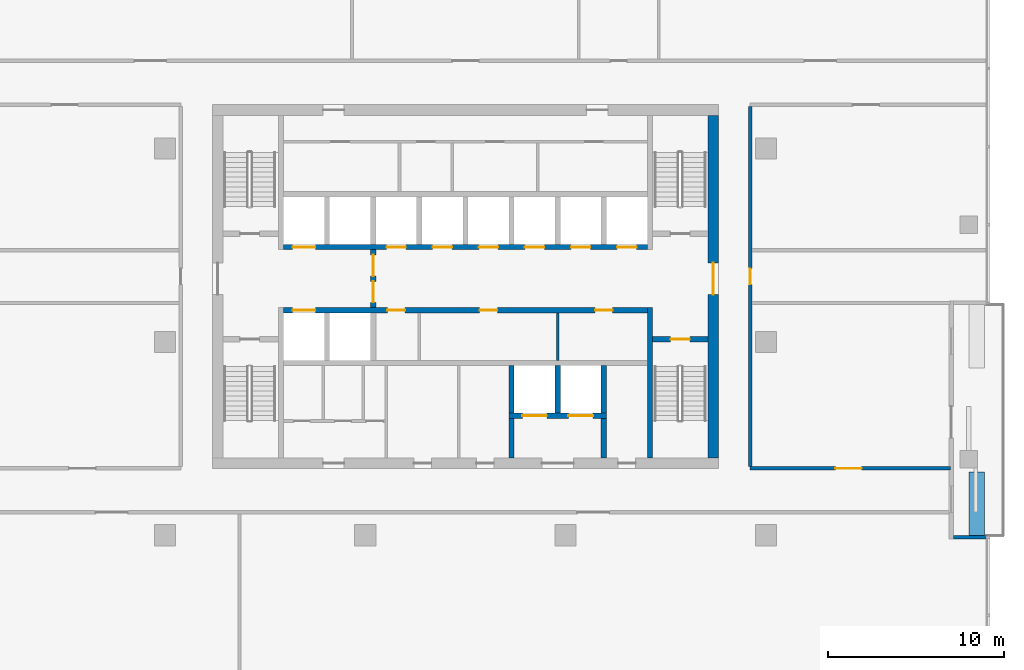
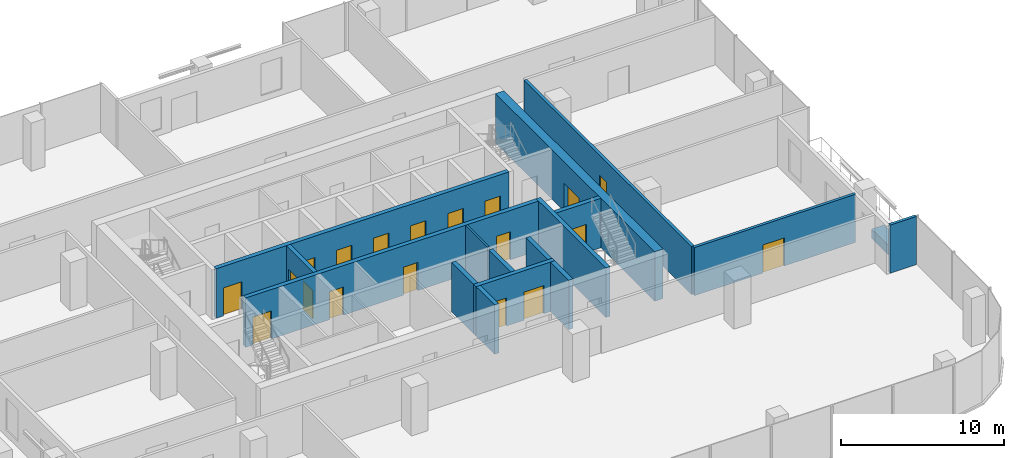
# One storey, part 8 of 13: 19 doors, 17 walls, 19 openings.
"""IFC4 building model written with IfcOpenShell, lengths in metres."""

from ifc_helpers import new_model, si_unit, direction, frame, frame_2d, origin, place, context, subcontext, project, spatial, rectangle, extrude, material, layer, layer_set, type_object, element, fill, save


model = new_model("IFC4")

# Units and contexts
model_context = context("Model", 3, precision=1e-05, world=origin(), true_north=direction((0.0, 1.0)))
body_context = subcontext(model_context, "Body", "Model", "MODEL_VIEW")
ifc_project = project(units=[si_unit("LENGTHUNIT", "METRE"), si_unit("AREAUNIT", "SQUARE_METRE"), si_unit("VOLUMEUNIT", "CUBIC_METRE"), si_unit("PLANEANGLEUNIT", "RADIAN"), si_unit("MASSUNIT", "GRAM", prefix="KILO")], contexts=[model_context])

# Site, building, storey
site_placement = place(None, origin())
site = spatial("IfcSite", under=ifc_project, at=site_placement, CompositionType="ELEMENT")
building_placement = place(site_placement, origin())
building = spatial("IfcBuilding", under=site, at=building_placement, Name="Mopane Tessera Tower", CompositionType="ELEMENT")
storey_placement = place(building_placement, frame((0.0, 0.0, 283.39990234375)))
storey = spatial("IfcBuildingStorey", under=building, at=storey_placement, Name="L61", CompositionType="ELEMENT", Elevation=283.39990234375)

# Wall
ifc_material_1 = material(Name="Fire-rated gypsum board partition")
ifc_layer_1 = layer(ifc_material_1, 0.14990234375)
ifc_layer_set_1 = layer_set([ifc_layer_1], Name="Fire-rated gypsum board partition")
wall_type_1 = type_object("IfcWallType", Name="Core room partition 150 mm", PredefinedType="PARTITIONING", material=ifc_layer_set_1)
wall_1_placement = place(storey_placement, frame((5.25, -1.050048828125, 0.0), z_axis=(0.0, 0.0, 1.0), x_axis=(0.0, 1.0, 0.0)))
element("IfcWall", 1, at=wall_1_placement, inside=storey, type_object=wall_type_1, Name="L61 Room partition", PredefinedType="PARTITIONING", context=body_context, shape_type="SweptSolid", body=[
    extrude(rectangle(XDim=2.699951171875, YDim=0.14990234375, at=frame_2d((1.35009765625, 0.0))), origin(), (0.0, 0.0, 1.0), 3.7001953125),
])

# Wall, opening, door
ifc_material_2 = material(Name="Concrete C70/85", Category="concrete")
ifc_layer_2 = layer(ifc_material_2, 0.60009765625)
ifc_layer_set_2 = layer_set([ifc_layer_2], Name="Concrete C70/85")
wall_type_2 = type_object("IfcWallType", Name="Core shear wall 600 mm", PredefinedType="SHEAR", material=ifc_layer_set_2)
wall_2_placement = place(storey_placement, frame((14.10009765625, -6.60009765625, 0.0), z_axis=(0.0, 0.0, 1.0), x_axis=(0.0, 1.0, 0.0)))
wall_2 = element("IfcWall", 2, at=wall_2_placement, inside=storey, type_object=wall_type_2, Name="L61 Core wall east", PredefinedType="SHEAR", context=body_context, shape_type="SweptSolid", body=[
    extrude(rectangle(XDim=19.5, YDim=0.60009765625, at=frame_2d((9.75, 0.0))), origin(), (0.0, 0.0, 1.0), 3.7001953125),
])
opening_1_placement = place(wall_2_placement, frame((9.300048828125, 0.0, 0.0)))
opening_1 = element("IfcOpeningElement", 3, at=opening_1_placement, cuts=wall_2, Name="Opening SD2", PredefinedType="OPENING", context=body_context, shape_type="SweptSolid", body=[
    extrude(rectangle(XDim=1.800048828125, YDim=2.10009765625, at=frame_2d((0.89990234375, 1.050048828125))), frame((0.0, 0.31201171875, 0.0), z_axis=(0.0, -1.0, 0.0), x_axis=(1.0, 0.0, 0.0)), (0.0, 0.0, 1.0), 0.6240234375),
])
ifc_material_3 = material(Name="Steel fire door", Category="steel")
door_type_1 = type_object("IfcDoorType", Name="Core entrance double door 1800 x 2100", OperationType="DOUBLE_DOOR_SINGLE_SWING", PredefinedType="DOOR", material=ifc_material_3)
door_1_placement = place(opening_1_placement, origin())
door_1 = element("IfcDoor", 4, at=door_1_placement, inside=storey, type_object=door_type_1, Name="L61 Core entrance door east", OperationType="DOUBLE_DOOR_SINGLE_SWING", OverallHeight=2.10009765625, OverallWidth=1.800048828125, PredefinedType="DOOR", context=body_context, shape_type="SweptSolid", body=[
    extrude(rectangle(XDim=1.800048828125, YDim=2.10009765625, at=frame_2d((0.89990234375, 1.050048828125))), frame((0.0, 0.02490234375, 0.0), z_axis=(0.0, -1.0, 0.0), x_axis=(1.0, 0.0, 0.0)), (0.0, 0.0, 1.0), 0.050048828125),
])
fill(opening_1, door_1)

# Wall
ifc_material_4 = material(Name="Concrete C60/75", Category="concrete")
ifc_layer_3 = layer(ifc_material_4, 0.300048828125)
ifc_layer_set_3 = layer_set([ifc_layer_3], Name="Concrete C60/75")
wall_type_3 = type_object("IfcWallType", Name="Core spine wall 300 mm", PredefinedType="SHEAR", material=ifc_layer_set_3)
wall_3_placement = place(storey_placement, frame((10.5, -6.60009765625, 0.0), z_axis=(0.0, 0.0, 1.0), x_axis=(0.0, 1.0, 0.0)))
element("IfcWall", 5, at=wall_3_placement, inside=storey, type_object=wall_type_3, Name="L61 Core spine wall", PredefinedType="SHEAR", context=body_context, shape_type="SweptSolid", body=[
    extrude(rectangle(XDim=8.550048828125, YDim=0.300048828125, at=frame_2d((4.27490234375, 0.0))), origin(), (0.0, 0.0, 1.0), 3.7001953125),
])

# Wall, opening, door
ifc_material_5 = material(Name="Gypsum board on steel studs, two layers each face, mineral wool infill", Category="steel")
ifc_layer_4 = layer(ifc_material_5, 0.199951171875)
ifc_layer_set_4 = layer_set([ifc_layer_4], Name="Gypsum board on steel studs, two layers each face, mineral wool infill")
wall_type_4 = type_object("IfcWallType", Name="Gypsum board corridor wall 200, rated EI 60", PredefinedType="PARTITIONING", material=ifc_layer_set_4)
wall_4_placement = place(storey_placement, frame((16.199951171875, -7.199951171875, 0.0), z_axis=(0.0, 0.0, 1.0), x_axis=(1.0, 0.0, 0.0)))
wall_4 = element("IfcWall", 6, at=wall_4_placement, inside=storey, type_object=wall_type_4, Name="Partition L61:002", PredefinedType="PARTITIONING", context=body_context, shape_type="SweptSolid", body=[
    extrude(rectangle(XDim=11.400146484375, YDim=0.199951171875, at=frame_2d((5.7001953125, 0.0))), origin(), (0.0, 0.0, 1.0), 3.60009765625),
])
opening_2_placement = place(wall_4_placement, frame((4.85009765625, 0.0, 0.0)))
opening_2 = element("IfcOpeningElement", 7, at=opening_2_placement, cuts=wall_4, Name="Opening L61-12", PredefinedType="OPENING", context=body_context, shape_type="SweptSolid", body=[
    extrude(rectangle(XDim=1.5, YDim=2.10009765625, at=frame_2d((0.75, 1.050048828125))), frame((0.0, 0.112060546875, 0.0), z_axis=(0.0, -1.0, 0.0), x_axis=(1.0, 0.0, 0.0)), (0.0, 0.0, 1.0), 0.223876953125),
])
ifc_material_6 = material(Name="Timber veneered steel-framed fire door", Category="steel")
door_type_2 = type_object("IfcDoorType", Name="Fire door pair FD60 1500 x 2100", OperationType="DOUBLE_DOOR_SINGLE_SWING", PredefinedType="DOOR", material=ifc_material_6)
door_2_placement = place(opening_2_placement, origin())
door_2 = element("IfcDoor", 8, at=door_2_placement, inside=storey, type_object=door_type_2, Name="Door L61-12", ObjectType="D17A", OperationType="DOUBLE_DOOR_SINGLE_SWING", OverallHeight=2.10009765625, OverallWidth=1.5, PredefinedType="DOOR", context=body_context, shape_type="SweptSolid", body=[
    extrude(rectangle(XDim=1.5, YDim=2.10009765625, at=frame_2d((0.75, 1.050048828125))), frame((0.0, 0.02490234375, 0.0), z_axis=(0.0, -1.0, 0.0), x_axis=(1.0, 0.0, 0.0)), (0.0, 0.0, 1.0), 0.050048828125),
])
fill(opening_2, door_2)

wall_5_placement = place(storey_placement, frame((16.199951171875, -7.10009765625, 0.0), z_axis=(0.0, 0.0, 1.0), x_axis=(0.0, 1.0, 0.0)))
wall_5 = element("IfcWall", 9, at=wall_5_placement, inside=storey, type_object=wall_type_4, Name="Partition L61:015", PredefinedType="PARTITIONING", context=body_context, shape_type="SweptSolid", body=[
    extrude(rectangle(XDim=20.5, YDim=0.199951171875, at=frame_2d((10.25, 0.0))), origin(), (0.0, 0.0, 1.0), 3.60009765625),
])
opening_3_placement = place(wall_5_placement, frame((10.3701171875, 0.0, 0.0)))
opening_3 = element("IfcOpeningElement", 10, at=opening_3_placement, cuts=wall_5, Name="Opening L61-09", PredefinedType="OPENING", context=body_context, shape_type="SweptSolid", body=[
    extrude(rectangle(XDim=0.89990234375, YDim=2.10009765625, at=frame_2d((0.449951171875, 1.050048828125))), frame((0.0, 0.112060546875, 0.0), z_axis=(0.0, -1.0, 0.0), x_axis=(1.0, 0.0, 0.0)), (0.0, 0.0, 1.0), 0.223876953125),
])
ifc_material_7 = material(Name="Timber veneered steel-framed fire door", Category="steel")
door_type_3 = type_object("IfcDoorType", Name="Fire door FD60 900 x 2100", OperationType="SINGLE_SWING_LEFT", PredefinedType="DOOR", material=ifc_material_7)
door_3_placement = place(opening_3_placement, origin())
door_3 = element("IfcDoor", 11, at=door_3_placement, inside=storey, type_object=door_type_3, Name="Door L61-09", ObjectType="D10A", OperationType="SINGLE_SWING_LEFT", OverallHeight=2.10009765625, OverallWidth=0.89990234375, PredefinedType="DOOR", context=body_context, shape_type="SweptSolid", body=[
    extrude(rectangle(XDim=0.89990234375, YDim=2.10009765625, at=frame_2d((0.449951171875, 1.050048828125))), frame((0.0, 0.02490234375, 0.0), z_axis=(0.0, -1.0, 0.0), x_axis=(1.0, 0.0, 0.0)), (0.0, 0.0, 1.0), 0.050048828125),
])
fill(opening_3, door_3)

ifc_material_8 = material(Name="Concrete C50/60", Category="concrete")
ifc_layer_5 = layer(ifc_material_8, 0.300048828125)
ifc_layer_set_5 = layer_set([ifc_layer_5], Name="Concrete C50/60")
wall_type_5 = type_object("IfcWallType", Name="Lift and stair shaft wall 300 mm", PredefinedType="SOLIDWALL", material=ifc_layer_set_5)
wall_6_placement = place(storey_placement, frame((10.64990234375, 0.14990234375, 0.0), z_axis=(0.0, 0.0, 1.0), x_axis=(1.0, 0.0, 0.0)))
wall_6 = element("IfcWall", 12, at=wall_6_placement, inside=storey, type_object=wall_type_5, Name="L61 Stair enclosure wall", PredefinedType="SOLIDWALL", context=body_context, shape_type="SweptSolid", body=[
    extrude(rectangle(XDim=3.150146484375, YDim=0.300048828125, at=frame_2d((1.5751953125, 0.0))), origin(), (0.0, 0.0, 1.0), 3.7001953125),
])
opening_4_placement = place(wall_6_placement, frame((1.02490234375, 0.0, 0.0)))
opening_4 = element("IfcOpeningElement", 13, at=opening_4_placement, cuts=wall_6, Name="Opening SD1", PredefinedType="OPENING", context=body_context, shape_type="SweptSolid", body=[
    extrude(rectangle(XDim=1.10009765625, YDim=2.10009765625, at=frame_2d((0.550048828125, 1.050048828125))), frame((0.0, 0.162109375, 0.0), z_axis=(0.0, -1.0, 0.0), x_axis=(1.0, 0.0, 0.0)), (0.0, 0.0, 1.0), 0.323974609375),
])
ifc_material_9 = material(Name="Steel fire door", Category="steel")
door_type_4 = type_object("IfcDoorType", Name="Stair fire door 1100 x 2100", OperationType="SINGLE_SWING_LEFT", PredefinedType="DOOR", material=ifc_material_9)
door_4_placement = place(opening_4_placement, origin())
door_4 = element("IfcDoor", 14, at=door_4_placement, inside=storey, type_object=door_type_4, Name="L61 Stair door ST3", OperationType="SINGLE_SWING_RIGHT", OverallHeight=2.10009765625, OverallWidth=1.10009765625, PredefinedType="DOOR", context=body_context, shape_type="SweptSolid", body=[
    extrude(rectangle(XDim=1.10009765625, YDim=2.10009765625, at=frame_2d((0.550048828125, 1.050048828125))), frame((0.0, 0.02490234375, 0.0), z_axis=(0.0, -1.0, 0.0), x_axis=(1.0, 0.0, 0.0)), (0.0, 0.0, 1.0), 0.050048828125),
])
fill(opening_4, door_4)

# Wall, openings, doors
wall_7_placement = place(storey_placement, frame((-10.35009765625, 1.800048828125, 0.0), z_axis=(0.0, 0.0, 1.0), x_axis=(1.0, 0.0, 0.0)))
wall_7 = element("IfcWall", 15, at=wall_7_placement, inside=storey, type_object=wall_type_5, Name="L61 Lift shaft front wall", PredefinedType="SOLIDWALL", context=body_context, shape_type="SweptSolid", body=[
    extrude(rectangle(XDim=20.7001953125, YDim=0.300048828125, at=frame_2d((10.35009765625, 0.0))), origin(), (0.0, 0.0, 1.0), 3.7001953125),
])
opening_5_placement = place(wall_7_placement, frame((0.512451171875, 0.0, 0.0)))
opening_5 = element("IfcOpeningElement", 16, at=opening_5_placement, cuts=wall_7, Name="Opening LD2", PredefinedType="OPENING", context=body_context, shape_type="SweptSolid", body=[
    extrude(rectangle(XDim=1.300048828125, YDim=2.10009765625, at=frame_2d((0.64990234375, 1.050048828125))), frame((0.0, 0.162109375, 0.0), z_axis=(0.0, -1.0, 0.0), x_axis=(1.0, 0.0, 0.0)), (0.0, 0.0, 1.0), 0.323974609375),
])
opening_6_placement = place(wall_7_placement, frame((5.91259765625, 0.0, 0.0)))
opening_6 = element("IfcOpeningElement", 17, at=opening_6_placement, cuts=wall_7, Name="Opening RD1", PredefinedType="OPENING", context=body_context, shape_type="SweptSolid", body=[
    extrude(rectangle(XDim=1.0, YDim=2.10009765625, at=frame_2d((0.5, 1.050048828125))), frame((0.0, 0.162109375, 0.0), z_axis=(0.0, -1.0, 0.0), x_axis=(1.0, 0.0, 0.0)), (0.0, 0.0, 1.0), 0.323974609375),
])
opening_7_placement = place(wall_7_placement, frame((11.16259765625, 0.0, 0.0)))
opening_7 = element("IfcOpeningElement", 18, at=opening_7_placement, cuts=wall_7, Name="Opening RD1", PredefinedType="OPENING", context=body_context, shape_type="SweptSolid", body=[
    extrude(rectangle(XDim=1.0, YDim=2.10009765625, at=frame_2d((0.5, 1.050048828125))), frame((0.0, 0.162109375, 0.0), z_axis=(0.0, -1.0, 0.0), x_axis=(1.0, 0.0, 0.0)), (0.0, 0.0, 1.0), 0.323974609375),
])
opening_8_placement = place(wall_7_placement, frame((17.72509765625, 0.0, 0.0)))
opening_8 = element("IfcOpeningElement", 19, at=opening_8_placement, cuts=wall_7, Name="Opening RD1", PredefinedType="OPENING", context=body_context, shape_type="SweptSolid", body=[
    extrude(rectangle(XDim=1.0, YDim=2.10009765625, at=frame_2d((0.5, 1.050048828125))), frame((0.0, 0.162109375, 0.0), z_axis=(0.0, -1.0, 0.0), x_axis=(1.0, 0.0, 0.0)), (0.0, 0.0, 1.0), 0.323974609375),
])
ifc_material_10 = material(Name="Timber door", Category="wood")
door_type_5 = type_object("IfcDoorType", Name="Core room door 1000 x 2100", OperationType="SINGLE_SWING_LEFT", PredefinedType="DOOR", material=ifc_material_10)
door_5_placement = place(opening_6_placement, origin())
door_5 = element("IfcDoor", 20, at=door_5_placement, inside=storey, type_object=door_type_5, Name="L61 Room door", OperationType="SINGLE_SWING_LEFT", OverallHeight=2.10009765625, OverallWidth=1.0, PredefinedType="DOOR", context=body_context, shape_type="SweptSolid", body=[
    extrude(rectangle(XDim=1.0, YDim=2.10009765625, at=frame_2d((0.5, 1.050048828125))), frame((0.0, 0.02490234375, 0.0), z_axis=(0.0, -1.0, 0.0), x_axis=(1.0, 0.0, 0.0)), (0.0, 0.0, 1.0), 0.050048828125),
])
fill(opening_6, door_5)
door_6_placement = place(opening_7_placement, origin())
door_6 = element("IfcDoor", 21, at=door_6_placement, inside=storey, type_object=door_type_5, Name="L61 Room door", OperationType="SINGLE_SWING_LEFT", OverallHeight=2.10009765625, OverallWidth=1.0, PredefinedType="DOOR", context=body_context, shape_type="SweptSolid", body=[
    extrude(rectangle(XDim=1.0, YDim=2.10009765625, at=frame_2d((0.5, 1.050048828125))), frame((0.0, 0.02490234375, 0.0), z_axis=(0.0, -1.0, 0.0), x_axis=(1.0, 0.0, 0.0)), (0.0, 0.0, 1.0), 0.050048828125),
])
fill(opening_7, door_6)
door_7_placement = place(opening_8_placement, origin())
door_7 = element("IfcDoor", 22, at=door_7_placement, inside=storey, type_object=door_type_5, Name="L61 Room door", OperationType="SINGLE_SWING_LEFT", OverallHeight=2.10009765625, OverallWidth=1.0, PredefinedType="DOOR", context=body_context, shape_type="SweptSolid", body=[
    extrude(rectangle(XDim=1.0, YDim=2.10009765625, at=frame_2d((0.5, 1.050048828125))), frame((0.0, 0.02490234375, 0.0), z_axis=(0.0, -1.0, 0.0), x_axis=(1.0, 0.0, 0.0)), (0.0, 0.0, 1.0), 0.050048828125),
])
fill(opening_8, door_7)
ifc_material_11 = material(Name="Stainless steel sliding door", Category="steel")
door_type_6 = type_object("IfcDoorType", Name="Fire-fighting lift landing door 1300 x 2100", OperationType="DOUBLE_DOOR_SLIDING", PredefinedType="DOOR", material=ifc_material_11)
door_8_placement = place(opening_5_placement, origin())
door_8 = element("IfcDoor", 23, at=door_8_placement, inside=storey, type_object=door_type_6, Name="L61 Lift landing door FF1", OperationType="DOUBLE_DOOR_SLIDING", OverallHeight=2.10009765625, OverallWidth=1.300048828125, PredefinedType="DOOR", context=body_context, shape_type="SweptSolid", body=[
    extrude(rectangle(XDim=1.300048828125, YDim=2.10009765625, at=frame_2d((0.64990234375, 1.050048828125))), frame((0.0, 0.02490234375, 0.0), z_axis=(0.0, -1.0, 0.0), x_axis=(1.0, 0.0, 0.0)), (0.0, 0.0, 1.0), 0.050048828125),
])
fill(opening_5, door_8)

wall_8_placement = place(storey_placement, frame((-10.35009765625, 5.39990234375, 0.0), z_axis=(0.0, 0.0, 1.0), x_axis=(1.0, 0.0, 0.0)))
wall_8 = element("IfcWall", 24, at=wall_8_placement, inside=storey, type_object=wall_type_5, Name="L61 Lift shaft front wall", PredefinedType="SOLIDWALL", context=body_context, shape_type="SweptSolid", body=[
    extrude(rectangle(XDim=20.7001953125, YDim=0.300048828125, at=frame_2d((10.35009765625, 0.0))), origin(), (0.0, 0.0, 1.0), 3.7001953125),
])
opening_9_placement = place(wall_8_placement, frame((0.512451171875, 0.0, 0.0)))
opening_9 = element("IfcOpeningElement", 25, at=opening_9_placement, cuts=wall_8, Name="Opening LD2", PredefinedType="OPENING", context=body_context, shape_type="SweptSolid", body=[
    extrude(rectangle(XDim=1.300048828125, YDim=2.10009765625, at=frame_2d((0.64990234375, 1.050048828125))), frame((0.0, 0.162109375, 0.0), z_axis=(0.0, -1.0, 0.0), x_axis=(1.0, 0.0, 0.0)), (0.0, 0.0, 1.0), 0.323974609375),
])
opening_10_placement = place(wall_8_placement, frame((5.862548828125, 0.0, 0.0)))
opening_10 = element("IfcOpeningElement", 26, at=opening_10_placement, cuts=wall_8, Name="Opening LD", PredefinedType="OPENING", context=body_context, shape_type="SweptSolid", body=[
    extrude(rectangle(XDim=1.10009765625, YDim=2.10009765625, at=frame_2d((0.550048828125, 1.050048828125))), frame((0.0, 0.162109375, 0.0), z_axis=(0.0, -1.0, 0.0), x_axis=(1.0, 0.0, 0.0)), (0.0, 0.0, 1.0), 0.323974609375),
])
opening_11_placement = place(wall_8_placement, frame((8.487548828125, 0.0, 0.0)))
opening_11 = element("IfcOpeningElement", 27, at=opening_11_placement, cuts=wall_8, Name="Opening LD", PredefinedType="OPENING", context=body_context, shape_type="SweptSolid", body=[
    extrude(rectangle(XDim=1.10009765625, YDim=2.10009765625, at=frame_2d((0.550048828125, 1.050048828125))), frame((0.0, 0.162109375, 0.0), z_axis=(0.0, -1.0, 0.0), x_axis=(1.0, 0.0, 0.0)), (0.0, 0.0, 1.0), 0.323974609375),
])
opening_12_placement = place(wall_8_placement, frame((11.112548828125, 0.0, 0.0)))
opening_12 = element("IfcOpeningElement", 28, at=opening_12_placement, cuts=wall_8, Name="Opening LD", PredefinedType="OPENING", context=body_context, shape_type="SweptSolid", body=[
    extrude(rectangle(XDim=1.10009765625, YDim=2.10009765625, at=frame_2d((0.550048828125, 1.050048828125))), frame((0.0, 0.162109375, 0.0), z_axis=(0.0, -1.0, 0.0), x_axis=(1.0, 0.0, 0.0)), (0.0, 0.0, 1.0), 0.323974609375),
])
opening_13_placement = place(wall_8_placement, frame((13.737548828125, 0.0, 0.0)))
opening_13 = element("IfcOpeningElement", 29, at=opening_13_placement, cuts=wall_8, Name="Opening LD", PredefinedType="OPENING", context=body_context, shape_type="SweptSolid", body=[
    extrude(rectangle(XDim=1.10009765625, YDim=2.10009765625, at=frame_2d((0.550048828125, 1.050048828125))), frame((0.0, 0.162109375, 0.0), z_axis=(0.0, -1.0, 0.0), x_axis=(1.0, 0.0, 0.0)), (0.0, 0.0, 1.0), 0.323974609375),
])
opening_14_placement = place(wall_8_placement, frame((16.362548828125, 0.0, 0.0)))
opening_14 = element("IfcOpeningElement", 30, at=opening_14_placement, cuts=wall_8, Name="Opening LD", PredefinedType="OPENING", context=body_context, shape_type="SweptSolid", body=[
    extrude(rectangle(XDim=1.10009765625, YDim=2.10009765625, at=frame_2d((0.550048828125, 1.050048828125))), frame((0.0, 0.162109375, 0.0), z_axis=(0.0, -1.0, 0.0), x_axis=(1.0, 0.0, 0.0)), (0.0, 0.0, 1.0), 0.323974609375),
])
opening_15_placement = place(wall_8_placement, frame((18.987548828125, 0.0, 0.0)))
opening_15 = element("IfcOpeningElement", 31, at=opening_15_placement, cuts=wall_8, Name="Opening LD", PredefinedType="OPENING", context=body_context, shape_type="SweptSolid", body=[
    extrude(rectangle(XDim=1.10009765625, YDim=2.10009765625, at=frame_2d((0.550048828125, 1.050048828125))), frame((0.0, 0.162109375, 0.0), z_axis=(0.0, -1.0, 0.0), x_axis=(1.0, 0.0, 0.0)), (0.0, 0.0, 1.0), 0.323974609375),
])
door_9_placement = place(opening_9_placement, origin())
door_9 = element("IfcDoor", 32, at=door_9_placement, inside=storey, type_object=door_type_6, Name="L61 Lift landing door FF2", OperationType="DOUBLE_DOOR_SLIDING", OverallHeight=2.10009765625, OverallWidth=1.300048828125, PredefinedType="DOOR", context=body_context, shape_type="SweptSolid", body=[
    extrude(rectangle(XDim=1.300048828125, YDim=2.10009765625, at=frame_2d((0.64990234375, 1.050048828125))), frame((0.0, 0.02490234375, 0.0), z_axis=(0.0, -1.0, 0.0), x_axis=(1.0, 0.0, 0.0)), (0.0, 0.0, 1.0), 0.050048828125),
])
fill(opening_9, door_9)
ifc_material_12 = material(Name="Stainless steel sliding door", Category="steel")
door_type_7 = type_object("IfcDoorType", Name="Lift landing door 1100 x 2100", OperationType="DOUBLE_DOOR_SLIDING", PredefinedType="DOOR", material=ifc_material_12)
door_10_placement = place(opening_10_placement, origin())
door_10 = element("IfcDoor", 33, at=door_10_placement, inside=storey, type_object=door_type_7, Name="L61 Lift landing door HR1", OperationType="DOUBLE_DOOR_SLIDING", OverallHeight=2.10009765625, OverallWidth=1.10009765625, PredefinedType="DOOR", context=body_context, shape_type="SweptSolid", body=[
    extrude(rectangle(XDim=1.10009765625, YDim=2.10009765625, at=frame_2d((0.550048828125, 1.050048828125))), frame((0.0, 0.02490234375, 0.0), z_axis=(0.0, -1.0, 0.0), x_axis=(1.0, 0.0, 0.0)), (0.0, 0.0, 1.0), 0.050048828125),
])
fill(opening_10, door_10)
door_11_placement = place(opening_11_placement, origin())
door_11 = element("IfcDoor", 34, at=door_11_placement, inside=storey, type_object=door_type_7, Name="L61 Lift landing door HR2", OperationType="DOUBLE_DOOR_SLIDING", OverallHeight=2.10009765625, OverallWidth=1.10009765625, PredefinedType="DOOR", context=body_context, shape_type="SweptSolid", body=[
    extrude(rectangle(XDim=1.10009765625, YDim=2.10009765625, at=frame_2d((0.550048828125, 1.050048828125))), frame((0.0, 0.02490234375, 0.0), z_axis=(0.0, -1.0, 0.0), x_axis=(1.0, 0.0, 0.0)), (0.0, 0.0, 1.0), 0.050048828125),
])
fill(opening_11, door_11)
door_12_placement = place(opening_12_placement, origin())
door_12 = element("IfcDoor", 35, at=door_12_placement, inside=storey, type_object=door_type_7, Name="L61 Lift landing door HR3", OperationType="DOUBLE_DOOR_SLIDING", OverallHeight=2.10009765625, OverallWidth=1.10009765625, PredefinedType="DOOR", context=body_context, shape_type="SweptSolid", body=[
    extrude(rectangle(XDim=1.10009765625, YDim=2.10009765625, at=frame_2d((0.550048828125, 1.050048828125))), frame((0.0, 0.02490234375, 0.0), z_axis=(0.0, -1.0, 0.0), x_axis=(1.0, 0.0, 0.0)), (0.0, 0.0, 1.0), 0.050048828125),
])
fill(opening_12, door_12)
door_13_placement = place(opening_13_placement, origin())
door_13 = element("IfcDoor", 36, at=door_13_placement, inside=storey, type_object=door_type_7, Name="L61 Lift landing door HR4", OperationType="DOUBLE_DOOR_SLIDING", OverallHeight=2.10009765625, OverallWidth=1.10009765625, PredefinedType="DOOR", context=body_context, shape_type="SweptSolid", body=[
    extrude(rectangle(XDim=1.10009765625, YDim=2.10009765625, at=frame_2d((0.550048828125, 1.050048828125))), frame((0.0, 0.02490234375, 0.0), z_axis=(0.0, -1.0, 0.0), x_axis=(1.0, 0.0, 0.0)), (0.0, 0.0, 1.0), 0.050048828125),
])
fill(opening_13, door_13)
door_14_placement = place(opening_14_placement, origin())
door_14 = element("IfcDoor", 37, at=door_14_placement, inside=storey, type_object=door_type_7, Name="L61 Lift landing door HR5", OperationType="DOUBLE_DOOR_SLIDING", OverallHeight=2.10009765625, OverallWidth=1.10009765625, PredefinedType="DOOR", context=body_context, shape_type="SweptSolid", body=[
    extrude(rectangle(XDim=1.10009765625, YDim=2.10009765625, at=frame_2d((0.550048828125, 1.050048828125))), frame((0.0, 0.02490234375, 0.0), z_axis=(0.0, -1.0, 0.0), x_axis=(1.0, 0.0, 0.0)), (0.0, 0.0, 1.0), 0.050048828125),
])
fill(opening_14, door_14)
door_15_placement = place(opening_15_placement, origin())
door_15 = element("IfcDoor", 38, at=door_15_placement, inside=storey, type_object=door_type_7, Name="L61 Lift landing door HR6", OperationType="DOUBLE_DOOR_SLIDING", OverallHeight=2.10009765625, OverallWidth=1.10009765625, PredefinedType="DOOR", context=body_context, shape_type="SweptSolid", body=[
    extrude(rectangle(XDim=1.10009765625, YDim=2.10009765625, at=frame_2d((0.550048828125, 1.050048828125))), frame((0.0, 0.02490234375, 0.0), z_axis=(0.0, -1.0, 0.0), x_axis=(1.0, 0.0, 0.0)), (0.0, 0.0, 1.0), 0.050048828125),
])
fill(opening_15, door_15)

wall_9_placement = place(storey_placement, frame((2.47509765625, -4.199951171875, 0.0), z_axis=(0.0, 0.0, 1.0), x_axis=(1.0, 0.0, 0.0)))
wall_9 = element("IfcWall", 39, at=wall_9_placement, inside=storey, type_object=wall_type_5, Name="L61 Lift shaft front wall", PredefinedType="SOLIDWALL", context=body_context, shape_type="SweptSolid", body=[
    extrude(rectangle(XDim=5.5498046875, YDim=0.300048828125, at=frame_2d((2.77490234375, 0.0))), origin(), (0.0, 0.0, 1.0), 3.7001953125),
])
opening_16_placement = place(wall_9_placement, frame((0.762451171875, 0.0, 0.0)))
opening_16 = element("IfcOpeningElement", 40, at=opening_16_placement, cuts=wall_9, Name="Opening LD3", PredefinedType="OPENING", context=body_context, shape_type="SweptSolid", body=[
    extrude(rectangle(XDim=1.39990234375, YDim=2.10009765625, at=frame_2d((0.699951171875, 1.050048828125))), frame((0.0, 0.162109375, 0.0), z_axis=(0.0, -1.0, 0.0), x_axis=(1.0, 0.0, 0.0)), (0.0, 0.0, 1.0), 0.323974609375),
])
opening_17_placement = place(wall_9_placement, frame((3.387451171875, 0.0, 0.0)))
opening_17 = element("IfcOpeningElement", 41, at=opening_17_placement, cuts=wall_9, Name="Opening LD3", PredefinedType="OPENING", context=body_context, shape_type="SweptSolid", body=[
    extrude(rectangle(XDim=1.39990234375, YDim=2.10009765625, at=frame_2d((0.699951171875, 1.050048828125))), frame((0.0, 0.162109375, 0.0), z_axis=(0.0, -1.0, 0.0), x_axis=(1.0, 0.0, 0.0)), (0.0, 0.0, 1.0), 0.323974609375),
])
ifc_material_13 = material(Name="Stainless steel sliding door", Category="steel")
door_type_8 = type_object("IfcDoorType", Name="Service lift landing door 1400 x 2100", OperationType="DOUBLE_DOOR_SLIDING", PredefinedType="DOOR", material=ifc_material_13)
door_16_placement = place(opening_16_placement, origin())
door_16 = element("IfcDoor", 42, at=door_16_placement, inside=storey, type_object=door_type_8, Name="L61 Lift landing door SV1", OperationType="DOUBLE_DOOR_SLIDING", OverallHeight=2.10009765625, OverallWidth=1.39990234375, PredefinedType="DOOR", context=body_context, shape_type="SweptSolid", body=[
    extrude(rectangle(XDim=1.39990234375, YDim=2.10009765625, at=frame_2d((0.699951171875, 1.050048828125))), frame((0.0, 0.02490234375, 0.0), z_axis=(0.0, -1.0, 0.0), x_axis=(1.0, 0.0, 0.0)), (0.0, 0.0, 1.0), 0.050048828125),
])
fill(opening_16, door_16)
door_17_placement = place(opening_17_placement, origin())
door_17 = element("IfcDoor", 43, at=door_17_placement, inside=storey, type_object=door_type_8, Name="L61 Lift landing door SV2", OperationType="DOUBLE_DOOR_SLIDING", OverallHeight=2.10009765625, OverallWidth=1.39990234375, PredefinedType="DOOR", context=body_context, shape_type="SweptSolid", body=[
    extrude(rectangle(XDim=1.39990234375, YDim=2.10009765625, at=frame_2d((0.699951171875, 1.050048828125))), frame((0.0, 0.02490234375, 0.0), z_axis=(0.0, -1.0, 0.0), x_axis=(1.0, 0.0, 0.0)), (0.0, 0.0, 1.0), 0.050048828125),
])
fill(opening_17, door_17)

# Walls
for number, where, z_axis, x_axis, name in (
    (44, (2.625, -4.050048828125, 0.0), (0.0, 0.0, 1.0), (0.0, 1.0, 0.0), "L61 Lift shaft wall"),
    (45, (5.25, -4.050048828125, 0.0), (0.0, 0.0, 1.0), (0.0, 1.0, 0.0), "L61 Lift shaft wall"),
    (46, (7.875, -4.050048828125, 0.0), (0.0, 0.0, 1.0), (0.0, 1.0, 0.0), "L61 Lift shaft wall"),
):
    element("IfcWall", number, at=place(storey_placement, frame(where, z_axis=z_axis, x_axis=x_axis)), inside=storey, type_object=wall_type_5, Name=name, PredefinedType="SOLIDWALL", context=body_context, shape_type="SweptSolid", body=[
        extrude(rectangle(XDim=2.699951171875, YDim=0.300048828125, at=frame_2d((1.35009765625, 0.0))), origin(), (0.0, 0.0, 1.0), 3.7001953125),
    ])

# Wall, openings, doors
ifc_material_14 = material(Name="Concrete C50/60", Category="concrete")
ifc_layer_6 = layer(ifc_material_14, 0.300048828125)
ifc_layer_set_6 = layer_set([ifc_layer_6], Name="Concrete C50/60")
wall_type_6 = type_object("IfcWallType", Name="Lobby and refuge room wall 300 mm", PredefinedType="SOLIDWALL", material=ifc_layer_set_6)
wall_10_placement = place(storey_placement, frame((-5.25, 1.949951171875, 0.0), z_axis=(0.0, 0.0, 1.0), x_axis=(0.0, 1.0, 0.0)))
wall_10 = element("IfcWall", 47, at=wall_10_placement, inside=storey, type_object=wall_type_6, Name="L61 Fire-fighting lobby wall", PredefinedType="SOLIDWALL", context=body_context, shape_type="SweptSolid", body=[
    extrude(rectangle(XDim=3.300048828125, YDim=0.300048828125, at=frame_2d((1.64990234375, 0.0))), origin(), (0.0, 0.0, 1.0), 3.7001953125),
])
opening_18_placement = place(wall_10_placement, frame((0.300048828125, 0.0, 0.0)))
opening_18 = element("IfcOpeningElement", 48, at=opening_18_placement, cuts=wall_10, Name="Opening SD3", PredefinedType="OPENING", context=body_context, shape_type="SweptSolid", body=[
    extrude(rectangle(XDim=1.199951171875, YDim=2.10009765625, at=frame_2d((0.60009765625, 1.050048828125))), frame((0.0, 0.162109375, 0.0), z_axis=(0.0, -1.0, 0.0), x_axis=(1.0, 0.0, 0.0)), (0.0, 0.0, 1.0), 0.323974609375),
])
opening_19_placement = place(wall_10_placement, frame((1.800048828125, 0.0, 0.0)))
opening_19 = element("IfcOpeningElement", 49, at=opening_19_placement, cuts=wall_10, Name="Opening SD3", PredefinedType="OPENING", context=body_context, shape_type="SweptSolid", body=[
    extrude(rectangle(XDim=1.199951171875, YDim=2.10009765625, at=frame_2d((0.60009765625, 1.050048828125))), frame((0.0, 0.162109375, 0.0), z_axis=(0.0, -1.0, 0.0), x_axis=(1.0, 0.0, 0.0)), (0.0, 0.0, 1.0), 0.323974609375),
])
ifc_material_15 = material(Name="Steel fire door", Category="steel")
door_type_9 = type_object("IfcDoorType", Name="Lobby fire door 1200 x 2100", OperationType="SINGLE_SWING_LEFT", PredefinedType="DOOR", material=ifc_material_15)
door_18_placement = place(opening_18_placement, origin())
door_18 = element("IfcDoor", 50, at=door_18_placement, inside=storey, type_object=door_type_9, Name="L61 Fire-fighting lobby door", OperationType="SINGLE_SWING_LEFT", OverallHeight=2.10009765625, OverallWidth=1.199951171875, PredefinedType="DOOR", context=body_context, shape_type="SweptSolid", body=[
    extrude(rectangle(XDim=1.199951171875, YDim=2.10009765625, at=frame_2d((0.60009765625, 1.050048828125))), frame((0.0, 0.02490234375, 0.0), z_axis=(0.0, -1.0, 0.0), x_axis=(1.0, 0.0, 0.0)), (0.0, 0.0, 1.0), 0.050048828125),
])
fill(opening_18, door_18)
door_19_placement = place(opening_19_placement, origin())
door_19 = element("IfcDoor", 51, at=door_19_placement, inside=storey, type_object=door_type_9, Name="L61 Fire-fighting lobby door", OperationType="SINGLE_SWING_RIGHT", OverallHeight=2.10009765625, OverallWidth=1.199951171875, PredefinedType="DOOR", context=body_context, shape_type="SweptSolid", body=[
    extrude(rectangle(XDim=1.199951171875, YDim=2.10009765625, at=frame_2d((0.60009765625, 1.050048828125))), frame((0.0, 0.02490234375, 0.0), z_axis=(0.0, -1.0, 0.0), x_axis=(1.0, 0.0, 0.0)), (0.0, 0.0, 1.0), 0.050048828125),
])
fill(opening_19, door_19)

# Walls
for number, where, z_axis, x_axis, name in (
    (52, (2.625, -6.60009765625, 0.0), (0.0, 0.0, 1.0), (0.0, 1.0, 0.0), "L61 Service lobby wall"),
    (53, (7.875, -6.60009765625, 0.0), (0.0, 0.0, 1.0), (0.0, 1.0, 0.0), "L61 Service lobby wall"),
):
    element("IfcWall", number, at=place(storey_placement, frame(where, z_axis=z_axis, x_axis=x_axis)), inside=storey, type_object=wall_type_6, Name=name, PredefinedType="SOLIDWALL", context=body_context, shape_type="SweptSolid", body=[
        extrude(rectangle(XDim=2.25, YDim=0.300048828125, at=frame_2d((1.125, 0.0))), origin(), (0.0, 0.0, 1.0), 3.7001953125),
    ])
ifc_material_16 = material(Name="Reinforced concrete C32/40 with waterproofing", Category="concrete")
ifc_layer_7 = layer(ifc_material_16, 0.89990234375)
ifc_layer_set_7 = layer_set([ifc_layer_7], Name="Reinforced concrete C32/40 with waterproofing")
wall_type_7 = type_object("IfcWallType", Name="Planter trough 3600 x 900", PredefinedType="STANDARD", material=ifc_layer_set_7)
wall_11_placement = place(storey_placement, frame((29.10009765625, -11.01123046875, 0.0), z_axis=(0.0, 0.0, 1.0), x_axis=(0.0, 1.0, 0.0)))
element("IfcWall", 54, at=wall_11_placement, inside=storey, type_object=wall_type_7, Name="e:nw:L61:N1:pl0", PredefinedType="STANDARD", context=body_context, shape_type="SweptSolid", body=[
    extrude(rectangle(XDim=3.60009765625, YDim=0.89990234375, at=frame_2d((1.800048828125, 0.0))), origin(), (0.0, 0.0, 1.0), 0.7001953125),
])
ifc_material_17 = material(Name="Blockwork with glazed tile facing", Category="masonry")
ifc_layer_8 = layer(ifc_material_17, 0.199951171875)
ifc_layer_set_8 = layer_set([ifc_layer_8], Name="Blockwork with glazed tile facing")
wall_type_8 = type_object("IfcWallType", Name="Terrace cheek wall 200", PredefinedType="STANDARD", material=ifc_layer_set_8)
wall_12_placement = place(storey_placement, frame((29.64990234375, -11.111083984375, 0.0), z_axis=(0.0, 0.0, 1.0), x_axis=(-1.0, 0.0, 0.0)))
element("IfcWall", 55, at=wall_12_placement, inside=storey, type_object=wall_type_8, Name="e:nw:L61:N1:cheeka", PredefinedType="STANDARD", context=body_context, shape_type="SweptSolid", body=[
    extrude(rectangle(XDim=1.875, YDim=0.199951171875, at=frame_2d((0.9375, 0.0))), origin(), (0.0, 0.0, 1.0), 3.60009765625),
])

save(model, "model.ifc")
